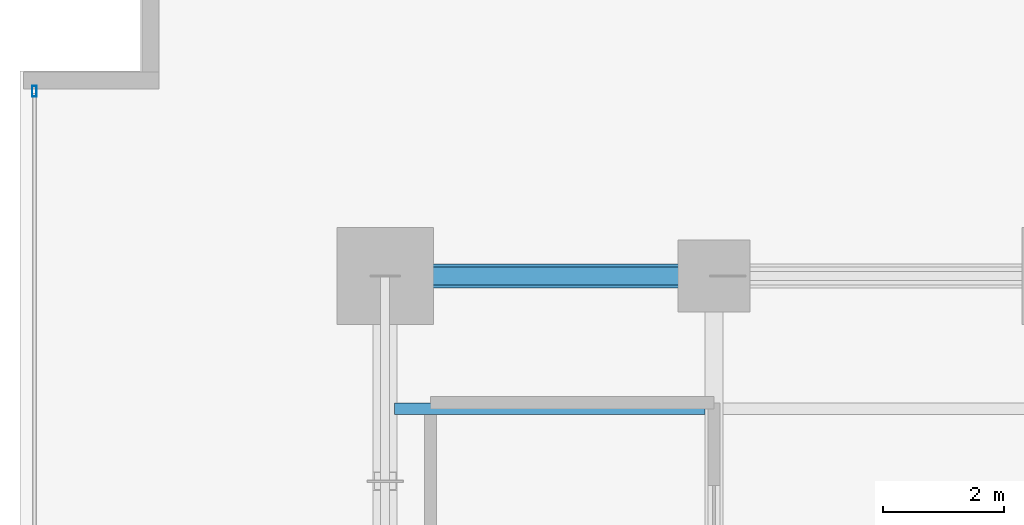
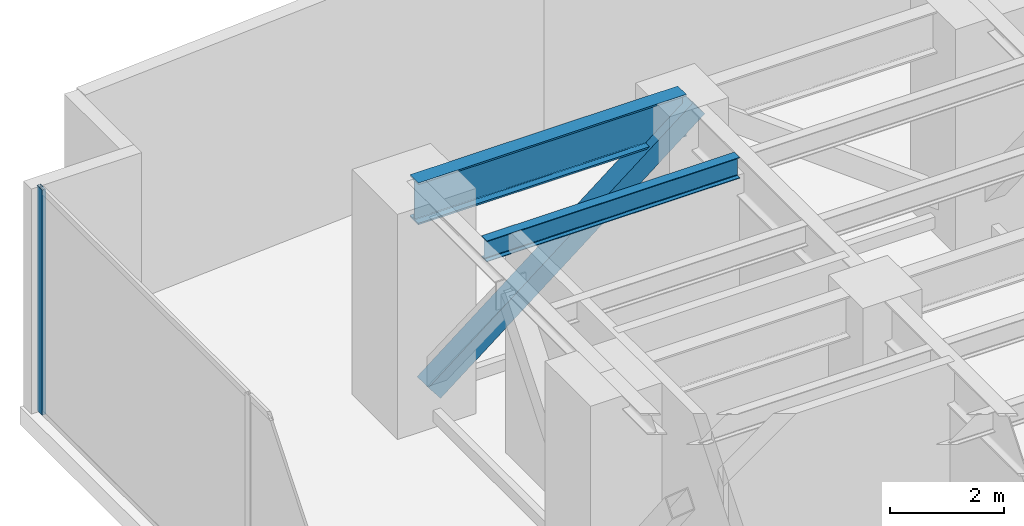
# One storey, part 24 of 36: 2 beams, 2 members, 1 element without a shape of its own.
"""IFC4 building model written with IfcOpenShell, lengths in metres."""

from ifc_helpers import new_model, si_unit, direction, frame, origin, origin_with_axes, origin_2d, place, context, subcontext, project, spatial, hollow_rectangle, i_section, extrude, source, transform, mapped, material, layer, layer_set, material_profile, profile_set, type_object, element, aggregate, save


model = new_model("IFC4")

# Units and contexts
model_context = context("Model", 3, precision=1e-05, world=origin(), true_north=direction((0.0, 1.0)))
body_context = subcontext(model_context, "Body", "Model", "MODEL_VIEW")
ifc_project = project(units=[si_unit("LENGTHUNIT", "METRE"), si_unit("AREAUNIT", "SQUARE_METRE"), si_unit("VOLUMEUNIT", "CUBIC_METRE"), si_unit("PLANEANGLEUNIT", "RADIAN"), si_unit("MASSUNIT", "GRAM", prefix="KILO")], contexts=[model_context])

# Site, building, storey
site_placement = place(None, origin())
site = spatial("IfcSite", under=ifc_project, at=site_placement, CompositionType="ELEMENT")
building_placement = place(site_placement, origin())
building = spatial("IfcBuilding", under=site, at=building_placement, Name="Kolvaren Waterfront Exchange", CompositionType="ELEMENT")
storey_placement = place(building_placement, frame((0.0, 0.0, 82.800048828125)))
storey = spatial("IfcBuildingStorey", under=building, at=storey_placement, Name="L21", CompositionType="ELEMENT", Elevation=82.800048828125)

# Beams
ifc_material_1 = material(Name="Steel S355", Category="steel")
ifc_material_profile_1 = material_profile(ifc_material_1, i_section(OverallWidth=0.300048828125, OverallDepth=0.89990234375, WebThickness=0.0185546875, FlangeThickness=0.034912109375, FilletRadius=0.030029296875, at=origin_2d()), Name="HEB900")
ifc_profile_set_1 = profile_set([ifc_material_profile_1], Name="Steel S355")
beam_type_1 = type_object("IfcBeamType", Name="STR-BM-HEB900", PredefinedType="BEAM", material=ifc_profile_set_1)
beam_1_placement = place(storey_placement, frame((7.449951171875, 44.60009765625, 4.389892578125), z_axis=(1.0, 0.0, 0.0), x_axis=(0.0, 1.0, 0.0)))
element("IfcBeam", 1, at=beam_1_placement, inside=storey, type_object=beam_type_1, Name="L21 north-arm girder 4A", PredefinedType="BEAM", context=body_context, shape_type="SweptSolid", body=[
    extrude(i_section(OverallWidth=0.300048828125, OverallDepth=0.89990234375, WebThickness=0.0185546875, FlangeThickness=0.034912109375, FilletRadius=0.030029296875, at=origin_2d()), origin(), (0.0, 0.0, 1.0), 5.449951171875),
])
ifc_material_profile_2 = material_profile(ifc_material_1, i_section(OverallWidth=0.18994140625, OverallDepth=0.449951171875, WebThickness=0.009521484375, FlangeThickness=0.0146484375, FilletRadius=0.02099609375, at=origin_2d()), Name="IPE450")
ifc_profile_set_2 = profile_set([ifc_material_profile_2], Name="Steel S355")
beam_type_2 = type_object("IfcBeamType", Name="STR-BM-IPE450", PredefinedType="JOIST", material=ifc_profile_set_2)
beam_2_placement = place(storey_placement, frame((7.60205078125, 42.39990234375, 4.614990234375), z_axis=(1.0, 0.0, 0.0), x_axis=(0.0, 1.0, 0.0)))
element("IfcBeam", 2, at=beam_2_placement, inside=storey, type_object=beam_type_2, Name="L21 north-arm composite joist 6A", PredefinedType="JOIST", context=body_context, shape_type="SweptSolid", body=[
    extrude(i_section(OverallWidth=0.18994140625, OverallDepth=0.449951171875, WebThickness=0.009521484375, FlangeThickness=0.0146484375, FilletRadius=0.02099609375, at=origin_2d()), origin(), (0.0, 0.0, 1.0), 5.14599609375),
])

# Member
ifc_material_2 = material(Name="Steel S460", Category="steel")
ifc_material_profile_3 = material_profile(ifc_material_2, hollow_rectangle(XDim=0.39990234375, YDim=0.39990234375, WallThickness=0.02001953125, at=origin_2d()), Name="SHS400x400x20")
ifc_profile_set_3 = profile_set([ifc_material_profile_3], Name="Steel S460")
member_type_1 = type_object("IfcMemberType", Name="STR-BR-SHS400", PredefinedType="BRACE", material=ifc_profile_set_3)
member_1_placement = place(storey_placement, frame((7.75, 44.60009765625, 0.25), z_axis=(0.785126433189, 0.0, 0.619335518041), x_axis=(0.0, 1.0, 0.0)))
element("IfcMember", 3, at=member_1_placement, inside=storey, type_object=member_type_1, Name="L21 belt-truss chevron brace BT8L", PredefinedType="BRACE", context=body_context, shape_type="SweptSolid", body=[
    extrude(hollow_rectangle(XDim=0.39990234375, YDim=0.39990234375, WallThickness=0.02001953125, at=origin_2d()), origin(), (0.0, 0.0, 1.0), 6.845947265625),
])

# Curtain wall, member
ifc_material_3 = material(Name="Anodised dark bronze spandrel aluminium", Category="aluminium")
ifc_layer = layer(ifc_material_3, 0.219970703125, Name="Anodised dark bronze spandrel aluminium")
ifc_layer_set = layer_set([ifc_layer], Name="Anodised dark bronze spandrel aluminium")
curtain_wall_type = type_object("IfcCurtainWallType", Name="ARC-CW-SYS6", PredefinedType="USERDEFINED", material=ifc_layer_set)
curtain_wall_placement = place(storey_placement, origin())
curtain_wall = element("IfcCurtainWall", 4, at=curtain_wall_placement, inside=storey, type_object=curtain_wall_type, Name="L21 stick curtain wall CW6 (CW-L21-W)", ObjectType="STICK CURTAIN WALL", PredefinedType="USERDEFINED")
ifc_material_4 = material(Name="Anodised bronze aluminium 6063-T6", Category="aluminium")
ifc_material_profile_4 = material_profile(ifc_material_4, hollow_rectangle(XDim=0.074951171875, YDim=0.179931640625, WallThickness=0.00439453125, at=origin_2d()), Name="ALU-MUL-180x75x4.5")
ifc_profile_set_4 = profile_set([ifc_material_profile_4], Name="Anodised bronze aluminium 6063-T6")
member_type_2 = type_object("IfcMemberType", Name="ARC-CWM-180", PredefinedType="MULLION", material=ifc_profile_set_4)
shared_shape = source(origin_with_axes(), body_context, "Body", "SweptSolid", [
    extrude(hollow_rectangle(XDim=0.074951171875, YDim=0.179931640625, WallThickness=0.00439453125, at=origin_2d()), origin(), (0.0, 0.0, 1.0), 4.83984375),
])
member_2_placement = place(storey_placement, frame((1.639892578125, 47.66259765625, 0.0), z_axis=(0.0, 0.0, 1.0), x_axis=(-1.0, 0.0, 0.0)))
member_2 = element("IfcMember", 5, at=member_2_placement, type_object=member_type_2, Name="CW6 mullion 7", PredefinedType="MULLION", context=body_context, shape_type="MappedRepresentation", body=[
    mapped(shared_shape, transform((0.0, 0.0, 0.0), x_axis=(1.0, 0.0, 0.0), y_axis=(0.0, 1.0, 0.0), z_axis=(0.0, 0.0, 1.0), scale=1.0)),
])
aggregate(curtain_wall, [member_2])

save(model, "model.ifc")
